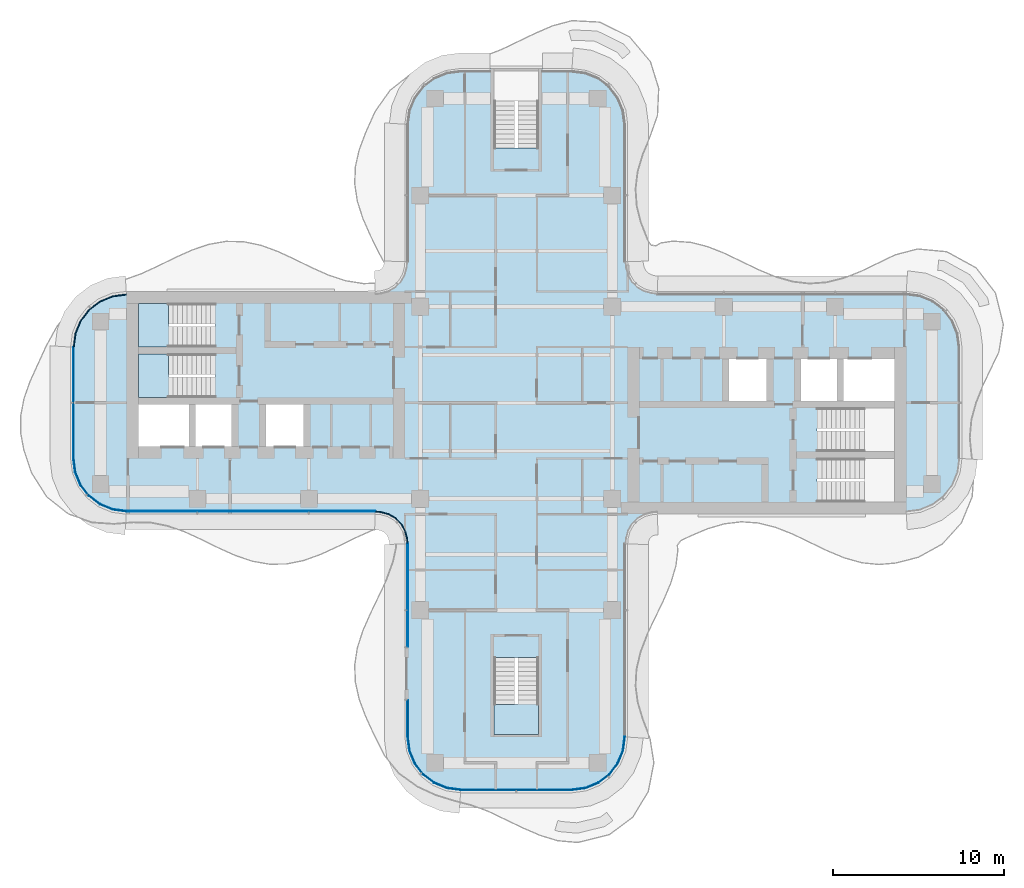
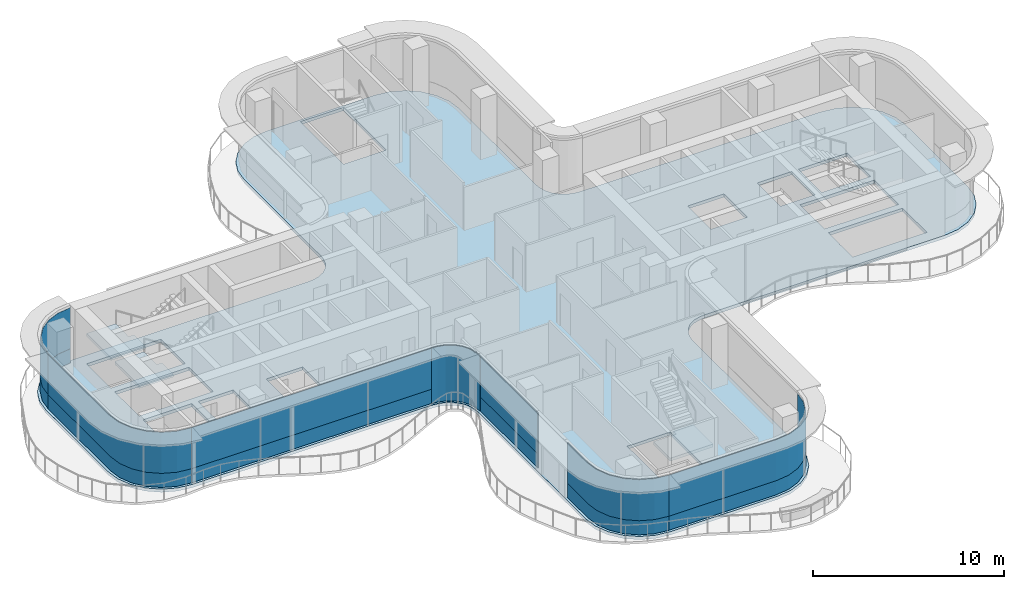
# One storey, part 8 of 16: 13 plates, 4 slabs, 10 elements without a shape of their own.
"""IFC4 building model written with IfcOpenShell, lengths in metres."""

from ifc_helpers import new_model, si_unit, direction, frame, origin, place, context, subcontext, project, spatial, polyline, outline, extrude, source, transform, mapped, material, layer, layer_set, type_object, element, aggregate, save


model = new_model("IFC4")

# Units and contexts
model_context = context("Model", 3, precision=1e-05, world=origin(), true_north=direction((0.0, 1.0)))
body_context = subcontext(model_context, "Body", "Model", "MODEL_VIEW")
ifc_project = project(units=[si_unit("LENGTHUNIT", "METRE"), si_unit("AREAUNIT", "SQUARE_METRE"), si_unit("VOLUMEUNIT", "CUBIC_METRE"), si_unit("PLANEANGLEUNIT", "RADIAN"), si_unit("MASSUNIT", "GRAM", prefix="KILO")], contexts=[model_context])

# Site, building, storey
site_placement = place(None, origin())
site = spatial("IfcSite", under=ifc_project, at=site_placement, CompositionType="ELEMENT")
building_placement = place(site_placement, origin())
building = spatial("IfcBuilding", under=site, at=building_placement, Name="Trellis Farm Tower", CompositionType="ELEMENT")
storey_placement = place(building_placement, frame((0.0, 0.0, 306.699951171875)))
storey = spatial("IfcBuildingStorey", under=building, at=storey_placement, Name="L69", CompositionType="ELEMENT", Elevation=306.699951171875)

# Slab
ifc_material_1 = material(Name="Concrete C40/50", Category="concrete")
ifc_layer_1 = layer(ifc_material_1, 0.199951171875)
ifc_layer_set_1 = layer_set([ifc_layer_1], Name="Composite deck floor slab 200")
slab_type_1 = type_object("IfcSlabType", Name="Composite deck floor slab 200", PredefinedType="FLOOR", material=ifc_layer_set_1)
shared_shape_1 = source(origin(), body_context, "Body", "SweptSolid", [
    extrude(outline(polyline([(-23.59130859375, -6.389404296875), (-24.375, -6.064697265625), (-25.048095703125, -5.548095703125), (-25.564697265625, -4.875), (-25.889404296875, -4.09130859375), (-26.0, -3.25), (-26.0, 3.25), (-25.889404296875, 4.09130859375), (-25.564697265625, 4.875), (-25.048095703125, 5.548095703125), (-24.375, 6.064697265625), (-23.59130859375, 6.389404296875), (-22.75, 6.5), (-8.2314453125, 6.5), (-8.01953125, 6.513916015625), (-7.91552734375, 6.527587890625), (-7.508544921875, 6.63671875), (-7.144287109375, 6.846923828125), (-6.846923828125, 7.144287109375), (-6.63671875, 7.508544921875), (-6.527587890625, 7.91552734375), (-6.513916015625, 8.01953125), (-6.5, 8.2314453125), (-6.5, 16.25), (-6.389404296875, 17.09130859375), (-6.064697265625, 17.875), (-5.548095703125, 18.548095703125), (-4.875, 19.064697265625), (-4.09130859375, 19.389404296875), (-3.25, 19.5), (3.25, 19.5), (4.09130859375, 19.389404296875), (4.875, 19.064697265625), (5.548095703125, 18.548095703125), (6.064697265625, 17.875), (6.389404296875, 17.09130859375), (6.5, 16.25), (6.5, 8.2314453125), (6.513916015625, 8.01953125), (6.527587890625, 7.91552734375), (6.63671875, 7.508544921875), (6.846923828125, 7.144287109375), (7.144287109375, 6.846923828125), (7.508544921875, 6.63671875), (7.91552734375, 6.527587890625), (8.01953125, 6.513916015625), (8.2314453125, 6.5), (22.75, 6.5), (23.59130859375, 6.389404296875), (24.375, 6.064697265625), (25.048095703125, 5.548095703125), (25.564697265625, 4.875), (25.889404296875, 4.09130859375), (26.0, 3.25), (26.0, -3.25), (25.889404296875, -4.09130859375), (25.564697265625, -4.875), (25.048095703125, -5.548095703125), (24.375, -6.064697265625), (23.59130859375, -6.389404296875), (22.75, -6.5), (8.2314453125, -6.5), (8.01953125, -6.513916015625), (7.91552734375, -6.527587890625), (7.508544921875, -6.63671875), (7.144287109375, -6.846923828125), (6.846923828125, -7.144287109375), (6.63671875, -7.508544921875), (6.527587890625, -7.91552734375), (6.513916015625, -8.01953125), (6.5, -8.2314453125), (6.5, -19.5), (6.389404296875, -20.34130859375), (6.064697265625, -21.125), (5.548095703125, -21.798095703125), (4.875, -22.314697265625), (4.09130859375, -22.639404296875), (3.25, -22.75), (-3.25, -22.75), (-4.09130859375, -22.639404296875), (-4.875, -22.314697265625), (-5.548095703125, -21.798095703125), (-6.064697265625, -21.125), (-6.389404296875, -20.34130859375), (-6.5, -19.5), (-6.5, -8.2314453125), (-6.513916015625, -8.01953125), (-6.527587890625, -7.91552734375), (-6.63671875, -7.508544921875), (-6.846923828125, -7.144287109375), (-7.144287109375, -6.846923828125), (-7.508544921875, -6.63671875), (-7.91552734375, -6.527587890625), (-8.01953125, -6.513916015625), (-8.2314453125, -6.5), (-22.75, -6.5), (-23.59130859375, -6.389404296875)]), holes=[polyline([(-22.050048828125, -2.550048828125), (-19.10009765625, -2.550048828125), (-19.10009765625, -0.10009765625), (-22.050048828125, -0.10009765625), (-22.050048828125, -2.550048828125)]), polyline([(-18.699951171875, -0.10009765625), (-18.699951171875, -2.550048828125), (-16.60009765625, -2.550048828125), (-16.60009765625, -0.10009765625), (-18.699951171875, -0.10009765625)]), polyline([(-14.60009765625, -0.10009765625), (-14.60009765625, -2.550048828125), (-12.39990234375, -2.550048828125), (-12.39990234375, -0.10009765625), (-14.60009765625, -0.10009765625)]), polyline([(-17.56201171875, 2.85009765625), (-22.050048828125, 2.85009765625), (-22.050048828125, 0.300048828125), (-17.56005859375, 0.300048828125), (-17.56005859375, 1.5), (-17.550048828125, 1.5), (-17.550048828125, 1.64990234375), (-17.56201171875, 1.64990234375), (-17.56201171875, 2.85009765625)]), polyline([(-17.56201171875, 4.60009765625), (-17.56201171875, 5.800048828125), (-22.050048828125, 5.800048828125), (-22.050048828125, 3.25), (-17.56005859375, 3.25), (-17.56005859375, 4.449951171875), (-17.550048828125, 4.449951171875), (-17.550048828125, 4.60009765625), (-17.56201171875, 4.60009765625)]), polyline([(0.10009765625, 14.862060546875), (1.300048828125, 14.862060546875), (1.300048828125, 19.35009765625), (-1.300048828125, 19.35009765625), (-1.300048828125, 14.860107421875), (-0.10009765625, 14.860107421875), (-0.10009765625, 14.85009765625), (0.10009765625, 14.85009765625), (0.10009765625, 14.862060546875)]), polyline([(-1.300048828125, -14.862060546875), (-1.300048828125, -19.35009765625), (1.300048828125, -19.35009765625), (1.300048828125, -14.860107421875), (0.10009765625, -14.860107421875), (0.10009765625, -14.85009765625), (-0.10009765625, -14.85009765625), (-0.10009765625, -14.862060546875), (-1.300048828125, -14.862060546875)]), polyline([(17.56201171875, -4.60009765625), (17.56201171875, -5.800048828125), (22.050048828125, -5.800048828125), (22.050048828125, -3.25), (17.56005859375, -3.25), (17.56005859375, -4.449951171875), (17.550048828125, -4.449951171875), (17.550048828125, -4.60009765625), (17.56201171875, -4.60009765625)]), polyline([(17.56201171875, -1.64990234375), (17.56201171875, -2.85009765625), (22.050048828125, -2.85009765625), (22.050048828125, -0.300048828125), (17.56005859375, -0.300048828125), (17.56005859375, -1.5), (17.550048828125, -1.5), (17.550048828125, -1.64990234375), (17.56201171875, -1.64990234375)]), polyline([(14.60009765625, 2.550048828125), (12.39990234375, 2.550048828125), (12.39990234375, 0.10009765625), (14.60009765625, 0.10009765625), (14.60009765625, 2.550048828125)]), polyline([(18.699951171875, 0.10009765625), (18.699951171875, 2.550048828125), (16.60009765625, 2.550048828125), (16.60009765625, 0.10009765625), (18.699951171875, 0.10009765625)]), polyline([(22.050048828125, 0.10009765625), (22.050048828125, 2.550048828125), (19.10009765625, 2.550048828125), (19.10009765625, 0.10009765625), (22.050048828125, 0.10009765625)])]), origin(), (0.0, 0.0, 1.0), 0.199951171875),
])
slab_1_placement = place(storey_placement, frame((0.0, 0.0, -0.199951171875)))
element("IfcSlab", 1, at=slab_1_placement, inside=storey, type_object=slab_type_1, Name="Floor slab", PredefinedType="FLOOR", context=body_context, shape_type="MappedRepresentation", body=[
    mapped(shared_shape_1, transform((0.0, 0.0, 0.0))),
])

# Stair, slab
ifc_material_2 = material(Name="Concrete C50/60", Category="concrete")
stair_type = type_object("IfcStairType", Name="CORE EXIT STAIR 22 RISERS 177 MM", PredefinedType="HALF_TURN_STAIR", material=ifc_material_2)
placement_1 = place(storey_placement, origin())
stair_1 = element("IfcStair", 2, at=placement_1, inside=storey, type_object=stair_type, Name="Exit stair S", PredefinedType="HALF_TURN_STAIR")
ifc_layer_2 = layer(ifc_material_2, 0.18994140625)
ifc_layer_set_2 = layer_set([ifc_layer_2], Name="CORE STAIR LANDING 190 CONCRETE C50/60")
slab_type_2 = type_object("IfcSlabType", Name="CORE STAIR LANDING 190 CONCRETE C50/60", PredefinedType="LANDING", material=ifc_layer_set_2)
shared_shape_2 = source(origin(), body_context, "Body", "SweptSolid", [
    extrude(outline(polyline([(1.300048828125, -19.35009765625), (-1.300048828125, -19.35009765625), (-1.300048828125, -17.60009765625), (-1.300048828125, -17.590087890625), (-0.10009765625, -17.590087890625), (-0.10009765625, -17.60009765625), (0.10009765625, -17.60009765625), (0.10009765625, -17.27197265625), (1.300048828125, -17.27197265625), (1.300048828125, -17.60009765625), (1.300048828125, -19.35009765625)])), origin(), (0.0, 0.0, 1.0), 0.18994140625),
])
placement_2 = place(storey_placement, frame((0.0, 0.0, 1.760009765625)))
slab_2 = element("IfcSlab", 3, at=placement_2, type_object=slab_type_2, Name="STS landing 1", PredefinedType="LANDING", context=body_context, shape_type="MappedRepresentation", body=[
    mapped(shared_shape_2, transform((0.0, 0.0, 0.0))),
])
aggregate(stair_1, [slab_2])

stair_2 = element("IfcStair", 4, at=placement_1, inside=storey, type_object=stair_type, Name="Exit stair W1", PredefinedType="HALF_TURN_STAIR")
shared_shape_3 = source(origin(), body_context, "Body", "SweptSolid", [
    extrude(outline(polyline([(-19.971923828125, 4.449951171875), (-19.971923828125, 3.25), (-20.300048828125, 3.25), (-22.050048828125, 3.25), (-22.050048828125, 5.800048828125), (-20.300048828125, 5.800048828125), (-20.2900390625, 5.800048828125), (-20.2900390625, 4.60009765625), (-20.300048828125, 4.60009765625), (-20.300048828125, 4.449951171875), (-19.971923828125, 4.449951171875)])), origin(), (0.0, 0.0, 1.0), 0.18994140625),
])
slab_3 = element("IfcSlab", 5, at=placement_2, type_object=slab_type_2, Name="STW1 landing 1", PredefinedType="LANDING", context=body_context, shape_type="MappedRepresentation", body=[
    mapped(shared_shape_3, transform((0.0, 0.0, 0.0))),
])
aggregate(stair_2, [slab_3])

stair_3 = element("IfcStair", 6, at=placement_1, inside=storey, type_object=stair_type, Name="Exit stair W2", PredefinedType="HALF_TURN_STAIR")
shared_shape_4 = source(origin(), body_context, "Body", "SweptSolid", [
    extrude(outline(polyline([(-19.971923828125, 1.5), (-19.971923828125, 0.300048828125), (-20.300048828125, 0.300048828125), (-22.050048828125, 0.300048828125), (-22.050048828125, 2.85009765625), (-20.300048828125, 2.85009765625), (-20.2900390625, 2.85009765625), (-20.2900390625, 1.64990234375), (-20.300048828125, 1.64990234375), (-20.300048828125, 1.5), (-19.971923828125, 1.5)])), origin(), (0.0, 0.0, 1.0), 0.18994140625),
])
slab_4 = element("IfcSlab", 7, at=placement_2, type_object=slab_type_2, Name="STW2 landing 1", PredefinedType="LANDING", context=body_context, shape_type="MappedRepresentation", body=[
    mapped(shared_shape_4, transform((0.0, 0.0, 0.0))),
])
aggregate(stair_3, [slab_4])

# Curtain wall, plate
ifc_material_3 = material(Name="Aluminium and glass curtain wall", Category="aluminium")
ifc_layer_3 = layer(ifc_material_3, 0.166015625)
ifc_layer_set_3 = layer_set([ifc_layer_3], Name="WINTER GARDEN CURTAIN WALL CW3")
curtain_wall_type_1 = type_object("IfcCurtainWallType", Name="WINTER GARDEN CURTAIN WALL CW3", PredefinedType="NOTDEFINED", material=ifc_layer_set_3)
curtain_wall_1 = element("IfcCurtainWall", 8, at=placement_1, inside=storey, type_object=curtain_wall_type_1, Name="CW3 001", PredefinedType="NOTDEFINED")
ifc_material_4 = material(Name="Clear insulated glass", Category="glass")
ifc_layer_4 = layer(ifc_material_4, 0.0458984375)
ifc_layer_set_4 = layer_set([ifc_layer_4], Name="CW3 GLASS PANEL 46")
plate_type_1 = type_object("IfcPlateType", Name="CW3 GLASS PANEL 46", PredefinedType="CURTAIN_PANEL", material=ifc_layer_set_4)
shared_shape_5 = source(origin(), body_context, "Body", "SweptSolid", [
    extrude(outline(polyline([(-8.2275390625, -6.3798828125), (-8.0078125, -6.394287109375), (-7.89208984375, -6.40966796875), (-7.462158203125, -6.52490234375), (-7.070556640625, -6.7509765625), (-6.7509765625, -7.070556640625), (-6.52490234375, -7.462158203125), (-6.40966796875, -7.89208984375), (-6.394287109375, -8.0078125), (-6.3798828125, -8.2275390625), (-6.333984375, -8.22607421875), (-6.3486328125, -8.003173828125), (-6.364501953125, -7.883056640625), (-6.48193359375, -7.4443359375), (-6.714111328125, -7.04248046875), (-7.04248046875, -6.714111328125), (-7.4443359375, -6.48193359375), (-7.883056640625, -6.364501953125), (-8.003173828125, -6.3486328125), (-8.22607421875, -6.333984375), (-8.2275390625, -6.3798828125)])), origin(), (0.0, 0.0, 1.0), 3.550048828125),
])
plate_1 = element("IfcPlate", 9, at=placement_1, type_object=plate_type_1, Name="PL3 001", PredefinedType="CURTAIN_PANEL", context=body_context, shape_type="MappedRepresentation", body=[
    mapped(shared_shape_5, transform((0.0, 0.0, 0.0))),
])
aggregate(curtain_wall_1, [plate_1])

# Curtain wall, plates
ifc_layer_5 = layer(ifc_material_3, 0.18994140625)
ifc_layer_set_5 = layer_set([ifc_layer_5], Name="RIBBON CURTAIN WALL CW1")
curtain_wall_type_2 = type_object("IfcCurtainWallType", Name="RIBBON CURTAIN WALL CW1", PredefinedType="NOTDEFINED", material=ifc_layer_set_5)
curtain_wall_2 = element("IfcCurtainWall", 10, at=placement_1, inside=storey, type_object=curtain_wall_type_2, Name="CW1 004", PredefinedType="NOTDEFINED")
ifc_layer_6 = layer(ifc_material_4, 0.0400390625)
ifc_layer_set_6 = layer_set([ifc_layer_6], Name="CW1 GLASS PANEL 40")
plate_type_2 = type_object("IfcPlateType", Name="CW1 GLASS PANEL 40", PredefinedType="CURTAIN_PANEL", material=ifc_layer_set_6)
shared_shape_6 = source(origin(), body_context, "Body", "SweptSolid", [
    extrude(outline(polyline([(-3.240234375, -22.60009765625), (3.240234375, -22.60009765625), (4.052001953125, -22.4931640625), (4.79931640625, -22.18359375), (5.441162109375, -21.691162109375), (5.93359375, -21.04931640625), (6.2431640625, -20.302001953125), (6.35009765625, -19.490234375), (6.31005859375, -19.487548828125), (6.2041015625, -20.29150390625), (5.898681640625, -21.029296875), (5.41259765625, -21.66259765625), (4.779296875, -22.148681640625), (4.04150390625, -22.4541015625), (3.237548828125, -22.56005859375), (-3.237548828125, -22.56005859375), (-3.240234375, -22.60009765625)])), origin(), (0.0, 0.0, 1.0), 2.619873046875),
])
placement_3 = place(storey_placement, frame((0.0, 0.0, 0.900146484375)))
plate_2 = element("IfcPlate", 11, at=placement_3, type_object=plate_type_2, Name="PL1 004", PredefinedType="CURTAIN_PANEL", context=body_context, shape_type="MappedRepresentation", body=[
    mapped(shared_shape_6, transform((0.0, 0.0, 0.0))),
])
ifc_material_5 = material(Name="Sandstone faced insulated panel", Category="masonry")
ifc_layer_7 = layer(ifc_material_5, 0.050048828125)
ifc_layer_set_7 = layer_set([ifc_layer_7], Name="CW1 STONE SPANDREL PANEL 50")
plate_type_3 = type_object("IfcPlateType", Name="CW1 STONE SPANDREL PANEL 50", PredefinedType="CURTAIN_PANEL", material=ifc_layer_set_7)
shared_shape_7 = source(origin(), body_context, "Body", "SweptSolid", [
    extrude(outline(polyline([(-3.240234375, -22.60009765625), (3.240234375, -22.60009765625), (4.052001953125, -22.4931640625), (4.79931640625, -22.18359375), (5.441162109375, -21.691162109375), (5.93359375, -21.04931640625), (6.2431640625, -20.302001953125), (6.35009765625, -19.490234375), (6.300048828125, -19.48681640625), (6.1943359375, -20.2890625), (5.889892578125, -21.024169921875), (5.405517578125, -21.655517578125), (4.774169921875, -22.139892578125), (4.0390625, -22.4443359375), (3.23681640625, -22.550048828125), (-3.23681640625, -22.550048828125), (-3.240234375, -22.60009765625)])), origin(), (0.0, 0.0, 1.0), 0.900146484375),
])
plate_3 = element("IfcPlate", 12, at=placement_1, type_object=plate_type_3, Name="PS1 004", PredefinedType="CURTAIN_PANEL", context=body_context, shape_type="MappedRepresentation", body=[
    mapped(shared_shape_7, transform((0.0, 0.0, 0.0))),
])
aggregate(curtain_wall_2, [plate_2, plate_3])

curtain_wall_3 = element("IfcCurtainWall", 13, at=placement_1, inside=storey, type_object=curtain_wall_type_2, Name="CW1 001", PredefinedType="NOTDEFINED")
shared_shape_8 = source(origin(), body_context, "Body", "SweptSolid", [
    extrude(outline(polyline([(-22.740234375, -6.35009765625), (-8.2265625, -6.35009765625), (-8.22509765625, -6.31005859375), (-22.737548828125, -6.31005859375), (-22.740234375, -6.35009765625)])), origin(), (0.0, 0.0, 1.0), 2.619873046875),
])
plate_4 = element("IfcPlate", 14, at=placement_3, type_object=plate_type_2, Name="PL1 001", PredefinedType="CURTAIN_PANEL", context=body_context, shape_type="MappedRepresentation", body=[
    mapped(shared_shape_8, transform((0.0, 0.0, 0.0))),
])
shared_shape_9 = source(origin(), body_context, "Body", "SweptSolid", [
    extrude(outline(polyline([(-22.740234375, -6.35009765625), (-8.2265625, -6.35009765625), (-8.224853515625, -6.300048828125), (-22.73681640625, -6.300048828125), (-22.740234375, -6.35009765625)])), origin(), (0.0, 0.0, 1.0), 0.900146484375),
])
plate_5 = element("IfcPlate", 15, at=placement_1, type_object=plate_type_3, Name="PS1 001", PredefinedType="CURTAIN_PANEL", context=body_context, shape_type="MappedRepresentation", body=[
    mapped(shared_shape_9, transform((0.0, 0.0, 0.0))),
])
aggregate(curtain_wall_3, [plate_4, plate_5])

curtain_wall_4 = element("IfcCurtainWall", 16, at=placement_1, inside=storey, type_object=curtain_wall_type_2, Name="CW1 013", PredefinedType="NOTDEFINED")
shared_shape_10 = source(origin(), body_context, "Body", "SweptSolid", [
    extrude(outline(polyline([(-22.740234375, 6.35009765625), (-23.552001953125, 6.2431640625), (-24.29931640625, 5.93359375), (-24.941162109375, 5.441162109375), (-25.43359375, 4.79931640625), (-25.7431640625, 4.052001953125), (-25.85009765625, 3.240234375), (-25.81005859375, 3.237548828125), (-25.7041015625, 4.04150390625), (-25.398681640625, 4.779296875), (-24.91259765625, 5.41259765625), (-24.279296875, 5.898681640625), (-23.54150390625, 6.2041015625), (-22.737548828125, 6.31005859375), (-22.740234375, 6.35009765625)])), origin(), (0.0, 0.0, 1.0), 2.619873046875),
])
plate_6 = element("IfcPlate", 17, at=placement_3, type_object=plate_type_2, Name="PL1 013", PredefinedType="CURTAIN_PANEL", context=body_context, shape_type="MappedRepresentation", body=[
    mapped(shared_shape_10, transform((0.0, 0.0, 0.0))),
])
shared_shape_11 = source(origin(), body_context, "Body", "SweptSolid", [
    extrude(outline(polyline([(-22.740234375, 6.35009765625), (-23.552001953125, 6.2431640625), (-24.29931640625, 5.93359375), (-24.941162109375, 5.441162109375), (-25.43359375, 4.79931640625), (-25.7431640625, 4.052001953125), (-25.85009765625, 3.240234375), (-25.800048828125, 3.23681640625), (-25.6943359375, 4.0390625), (-25.389892578125, 4.774169921875), (-24.905517578125, 5.405517578125), (-24.274169921875, 5.889892578125), (-23.5390625, 6.1943359375), (-22.73681640625, 6.300048828125), (-22.740234375, 6.35009765625)])), origin(), (0.0, 0.0, 1.0), 0.900146484375),
])
plate_7 = element("IfcPlate", 18, at=placement_1, type_object=plate_type_3, Name="PS1 013", PredefinedType="CURTAIN_PANEL", context=body_context, shape_type="MappedRepresentation", body=[
    mapped(shared_shape_11, transform((0.0, 0.0, 0.0))),
])
aggregate(curtain_wall_4, [plate_6, plate_7])

curtain_wall_5 = element("IfcCurtainWall", 19, at=placement_1, inside=storey, type_object=curtain_wall_type_2, Name="CW1 014", PredefinedType="NOTDEFINED")
shared_shape_12 = source(origin(), body_context, "Body", "SweptSolid", [
    extrude(outline(polyline([(-25.85009765625, 3.240234375), (-25.85009765625, -3.240234375), (-25.7431640625, -4.052001953125), (-25.43359375, -4.79931640625), (-24.941162109375, -5.441162109375), (-24.29931640625, -5.93359375), (-23.552001953125, -6.2431640625), (-22.740234375, -6.35009765625), (-22.737548828125, -6.31005859375), (-23.54150390625, -6.2041015625), (-24.279296875, -5.898681640625), (-24.91259765625, -5.41259765625), (-25.398681640625, -4.779296875), (-25.7041015625, -4.04150390625), (-25.81005859375, -3.237548828125), (-25.81005859375, 3.237548828125), (-25.85009765625, 3.240234375)])), origin(), (0.0, 0.0, 1.0), 2.619873046875),
])
plate_8 = element("IfcPlate", 20, at=placement_3, type_object=plate_type_2, Name="PL1 014", PredefinedType="CURTAIN_PANEL", context=body_context, shape_type="MappedRepresentation", body=[
    mapped(shared_shape_12, transform((0.0, 0.0, 0.0))),
])
shared_shape_13 = source(origin(), body_context, "Body", "SweptSolid", [
    extrude(outline(polyline([(-25.85009765625, 3.240234375), (-25.85009765625, -3.240234375), (-25.7431640625, -4.052001953125), (-25.43359375, -4.79931640625), (-24.941162109375, -5.441162109375), (-24.29931640625, -5.93359375), (-23.552001953125, -6.2431640625), (-22.740234375, -6.35009765625), (-22.73681640625, -6.300048828125), (-23.5390625, -6.1943359375), (-24.274169921875, -5.889892578125), (-24.905517578125, -5.405517578125), (-25.389892578125, -4.774169921875), (-25.6943359375, -4.0390625), (-25.800048828125, -3.23681640625), (-25.800048828125, 3.23681640625), (-25.85009765625, 3.240234375)])), origin(), (0.0, 0.0, 1.0), 0.900146484375),
])
plate_9 = element("IfcPlate", 21, at=placement_1, type_object=plate_type_3, Name="PS1 014", PredefinedType="CURTAIN_PANEL", context=body_context, shape_type="MappedRepresentation", body=[
    mapped(shared_shape_13, transform((0.0, 0.0, 0.0))),
])
aggregate(curtain_wall_5, [plate_8, plate_9])

curtain_wall_6 = element("IfcCurtainWall", 22, at=placement_1, inside=storey, type_object=curtain_wall_type_2, Name="CW1 002", PredefinedType="NOTDEFINED")
shared_shape_14 = source(origin(), body_context, "Body", "SweptSolid", [
    extrude(outline(polyline([(-6.35009765625, -8.2265625), (-6.35009765625, -14.239990234375), (-6.31005859375, -14.239990234375), (-6.31005859375, -8.22509765625), (-6.35009765625, -8.2265625)])), origin(), (0.0, 0.0, 1.0), 2.619873046875),
])
plate_10 = element("IfcPlate", 23, at=placement_3, type_object=plate_type_2, Name="PL1 002", PredefinedType="CURTAIN_PANEL", context=body_context, shape_type="MappedRepresentation", body=[
    mapped(shared_shape_14, transform((0.0, 0.0, 0.0))),
])
shared_shape_15 = source(origin(), body_context, "Body", "SweptSolid", [
    extrude(outline(polyline([(-6.35009765625, -8.2265625), (-6.35009765625, -14.239990234375), (-6.300048828125, -14.239990234375), (-6.300048828125, -8.224853515625), (-6.35009765625, -8.2265625)])), origin(), (0.0, 0.0, 1.0), 0.900146484375),
])
plate_11 = element("IfcPlate", 24, at=placement_1, type_object=plate_type_3, Name="PS1 002", PredefinedType="CURTAIN_PANEL", context=body_context, shape_type="MappedRepresentation", body=[
    mapped(shared_shape_15, transform((0.0, 0.0, 0.0))),
])
aggregate(curtain_wall_6, [plate_10, plate_11])

curtain_wall_7 = element("IfcCurtainWall", 25, at=placement_1, inside=storey, type_object=curtain_wall_type_2, Name="CW1 003", PredefinedType="NOTDEFINED")
shared_shape_16 = source(origin(), body_context, "Body", "SweptSolid", [
    extrude(outline(polyline([(-6.35009765625, -17.360107421875), (-6.35009765625, -19.490234375), (-6.2431640625, -20.302001953125), (-5.93359375, -21.04931640625), (-5.441162109375, -21.691162109375), (-4.79931640625, -22.18359375), (-4.052001953125, -22.4931640625), (-3.240234375, -22.60009765625), (-3.237548828125, -22.56005859375), (-4.04150390625, -22.4541015625), (-4.779296875, -22.148681640625), (-5.41259765625, -21.66259765625), (-5.898681640625, -21.029296875), (-6.2041015625, -20.29150390625), (-6.31005859375, -19.487548828125), (-6.31005859375, -17.360107421875), (-6.35009765625, -17.360107421875)])), origin(), (0.0, 0.0, 1.0), 2.619873046875),
])
plate_12 = element("IfcPlate", 26, at=placement_3, type_object=plate_type_2, Name="PL1 003", PredefinedType="CURTAIN_PANEL", context=body_context, shape_type="MappedRepresentation", body=[
    mapped(shared_shape_16, transform((0.0, 0.0, 0.0))),
])
shared_shape_17 = source(origin(), body_context, "Body", "SweptSolid", [
    extrude(outline(polyline([(-6.35009765625, -17.360107421875), (-6.35009765625, -19.490234375), (-6.2431640625, -20.302001953125), (-5.93359375, -21.04931640625), (-5.441162109375, -21.691162109375), (-4.79931640625, -22.18359375), (-4.052001953125, -22.4931640625), (-3.240234375, -22.60009765625), (-3.23681640625, -22.550048828125), (-4.0390625, -22.4443359375), (-4.774169921875, -22.139892578125), (-5.405517578125, -21.655517578125), (-5.889892578125, -21.024169921875), (-6.1943359375, -20.2890625), (-6.300048828125, -19.48681640625), (-6.300048828125, -17.360107421875), (-6.35009765625, -17.360107421875)])), origin(), (0.0, 0.0, 1.0), 0.900146484375),
])
plate_13 = element("IfcPlate", 27, at=placement_1, type_object=plate_type_3, Name="PS1 003", PredefinedType="CURTAIN_PANEL", context=body_context, shape_type="MappedRepresentation", body=[
    mapped(shared_shape_17, transform((0.0, 0.0, 0.0))),
])
aggregate(curtain_wall_7, [plate_12, plate_13])

save(model, "model.ifc")
